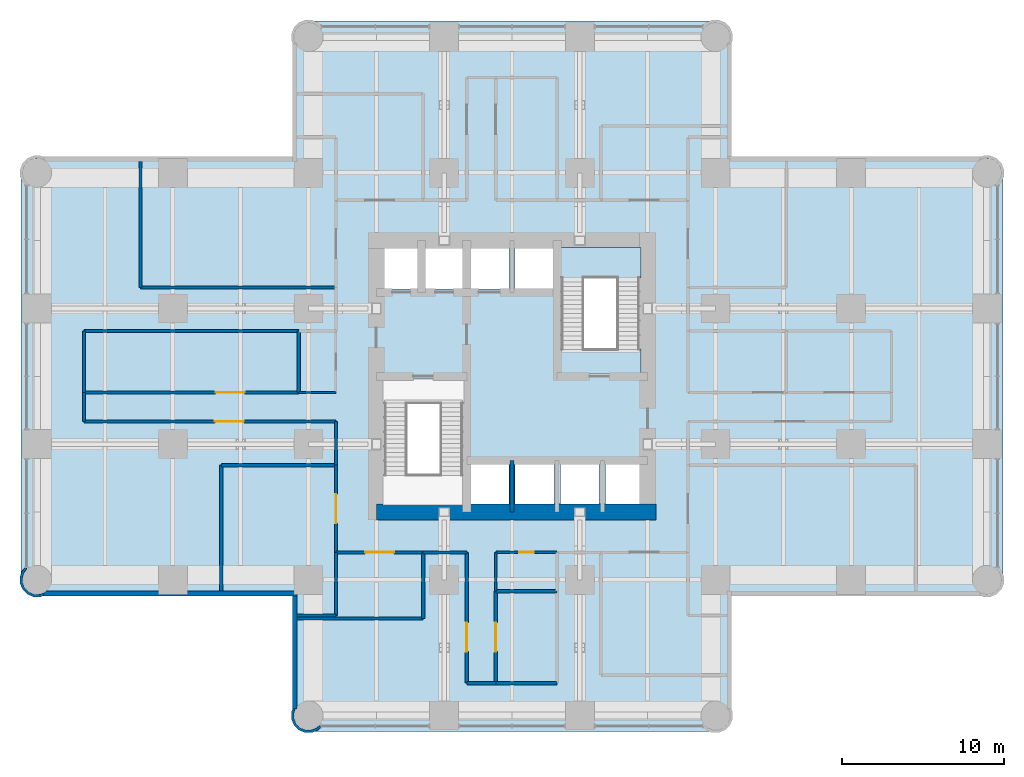
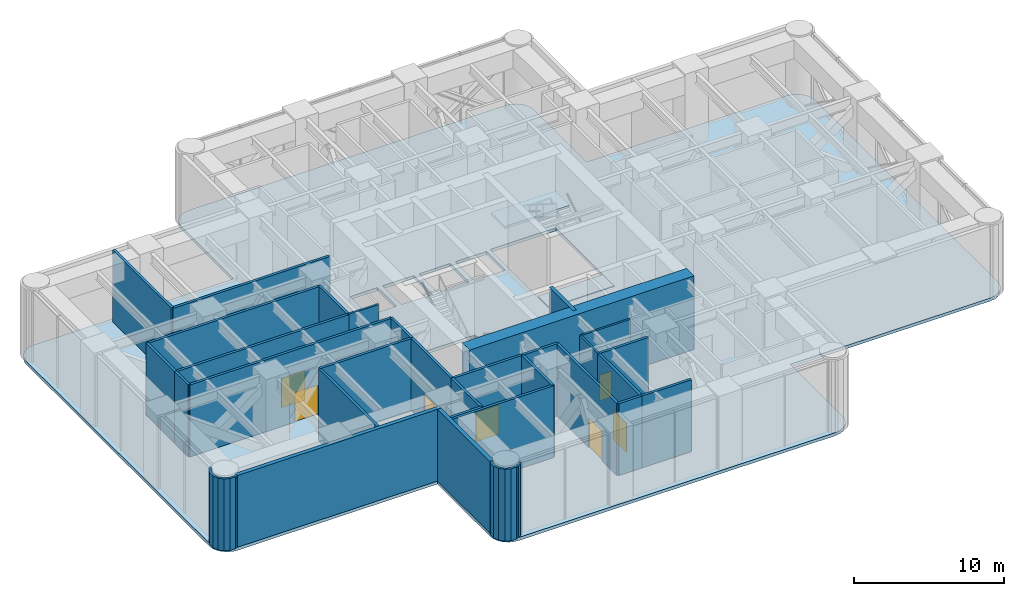
# One storey, part 8 of 13: 32 walls, 7 doors, 3 slabs, 7 openings, 1 element without a shape of its own.
"""IFC4 building model written with IfcOpenShell, lengths in metres."""

from ifc_helpers import new_model, si_unit, direction, frame, frame_2d, origin, place, context, subcontext, project, spatial, polyline, rectangle, outline, extrude, material, layer, layer_set, type_object, element, fill, aggregate, save


model = new_model("IFC4")

# Units and contexts
model_context = context("Model", 3, precision=1e-05, world=origin(), true_north=direction((0.0, 1.0)))
body_context = subcontext(model_context, "Body", "Model", "MODEL_VIEW")
ifc_project = project(units=[si_unit("LENGTHUNIT", "METRE"), si_unit("AREAUNIT", "SQUARE_METRE"), si_unit("VOLUMEUNIT", "CUBIC_METRE"), si_unit("PLANEANGLEUNIT", "RADIAN"), si_unit("MASSUNIT", "GRAM", prefix="KILO")], contexts=[model_context])

# Site, building, storey
site_placement = place(None, origin())
site = spatial("IfcSite", under=ifc_project, at=site_placement, CompositionType="ELEMENT")
building_placement = place(site_placement, origin())
building = spatial("IfcBuilding", under=site, at=building_placement, Name="Torre Alcanfor", CompositionType="ELEMENT")
storey_placement = place(building_placement, frame((0.0, 0.0, 177.300048828125)))
storey = spatial("IfcBuildingStorey", under=building, at=storey_placement, Name="L46", CompositionType="ELEMENT", Elevation=177.300048828125)

# Slab
ifc_material_1 = material(Name="Concrete f'c 35 MPa", Category="concrete")
ifc_layer_1 = layer(ifc_material_1, 0.25)
ifc_layer_set_1 = layer_set([ifc_layer_1], Name="Floor slab 250")
slab_type_1 = type_object("IfcSlabType", Name="Floor slab 250", PredefinedType="FLOOR", material=ifc_layer_set_1)
slab_1_placement = place(storey_placement, frame((0.0, 0.0, -0.25)))
element("IfcSlab", 1, at=slab_1_placement, inside=storey, type_object=slab_type_1, Name="Floor slab L46", PredefinedType="FLOOR", context=body_context, shape_type="SweptSolid", body=[
    extrude(outline(polyline([(15.800048828125, 43.0), (0.39990234375, 43.0), (0.03759765625, 42.952392578125), (-0.300048828125, 42.8125), (-0.58984375, 42.58984375), (-0.8125, 42.300048828125), (-0.952392578125, 41.96240234375), (-1.0, 41.60009765625), (-1.0, 17.199951171875), (-0.952392578125, 16.837646484375), (-0.8125, 16.5), (-0.58984375, 16.210205078125), (-0.300048828125, 15.987548828125), (0.03759765625, 15.84765625), (0.39990234375, 15.800048828125), (15.800048828125, 15.800048828125), (15.800048828125, 8.800048828125), (15.84765625, 8.437744140625), (15.987548828125, 8.10009765625), (16.210205078125, 7.81005859375), (16.5, 7.587646484375), (16.837646484375, 7.44775390625), (17.199951171875, 7.39990234375), (41.60009765625, 7.39990234375), (41.96240234375, 7.44775390625), (42.300048828125, 7.587646484375), (42.58984375, 7.81005859375), (42.8125, 8.10009765625), (42.952392578125, 8.437744140625), (43.0, 8.800048828125), (43.0, 15.800048828125), (58.39990234375, 15.800048828125), (58.76220703125, 15.84765625), (59.10009765625, 15.987548828125), (59.389892578125, 16.210205078125), (59.6123046875, 16.5), (59.752197265625, 16.837646484375), (59.800048828125, 17.199951171875), (59.800048828125, 41.60009765625), (59.752197265625, 41.96240234375), (59.6123046875, 42.300048828125), (59.389892578125, 42.58984375), (59.10009765625, 42.8125), (58.76220703125, 42.952392578125), (58.39990234375, 43.0), (43.0, 43.0), (43.0, 50.0), (42.952392578125, 50.3623046875), (42.8125, 50.699951171875), (42.58984375, 50.989990234375), (42.300048828125, 51.21240234375), (41.96240234375, 51.352294921875), (41.60009765625, 51.39990234375), (17.199951171875, 51.39990234375), (16.837646484375, 51.352294921875), (16.5, 51.21240234375), (16.210205078125, 50.989990234375), (15.987548828125, 50.699951171875), (15.84765625, 50.3623046875), (15.800048828125, 50.0), (15.800048828125, 43.0)]), holes=[polyline([(21.419921875, 21.419921875), (26.47998046875, 21.419921875), (26.47998046875, 29.280029296875), (21.419921875, 29.280029296875), (21.419921875, 21.419921875)]), polyline([(32.320068359375, 29.52001953125), (37.3798828125, 29.52001953125), (37.3798828125, 37.3798828125), (32.320068359375, 37.3798828125), (32.320068359375, 29.52001953125)]), polyline([(26.800048828125, 21.5), (29.199951171875, 21.5), (29.199951171875, 24.0), (26.800048828125, 24.0), (26.800048828125, 21.5)]), polyline([(29.60009765625, 21.5), (32.0, 21.5), (32.0, 24.0), (29.60009765625, 24.0), (29.60009765625, 21.5)]), polyline([(32.39990234375, 21.5), (34.800048828125, 21.5), (34.800048828125, 24.0), (32.39990234375, 24.0), (32.39990234375, 21.5)]), polyline([(35.199951171875, 21.5), (37.300048828125, 21.5), (37.300048828125, 24.0), (35.199951171875, 24.0), (35.199951171875, 21.5)]), polyline([(21.5, 34.800048828125), (23.60009765625, 34.800048828125), (23.60009765625, 37.300048828125), (21.5, 37.300048828125), (21.5, 34.800048828125)]), polyline([(24.0, 34.800048828125), (26.39990234375, 34.800048828125), (26.39990234375, 37.300048828125), (24.0, 37.300048828125), (24.0, 34.800048828125)]), polyline([(26.800048828125, 34.800048828125), (29.199951171875, 34.800048828125), (29.199951171875, 37.300048828125), (26.800048828125, 37.300048828125), (26.800048828125, 34.800048828125)]), polyline([(29.60009765625, 34.800048828125), (32.0, 34.800048828125), (32.0, 37.300048828125), (29.60009765625, 37.300048828125), (29.60009765625, 34.800048828125)])]), origin(), (0.0, 0.0, 1.0), 0.25),
])

# Stair, slabs
ifc_material_2 = material(Name="Concrete f'c 35 MPa", Category="concrete")
stair_type = type_object("IfcStairType", Name="Exit stair S2 1400 wide", PredefinedType="HALF_TURN_STAIR", material=ifc_material_2)
stair_placement = place(storey_placement, origin())
stair = element("IfcStair", 2, at=stair_placement, inside=storey, type_object=stair_type, Name="Stair S2 L46 to L47", PredefinedType="HALF_TURN_STAIR")
ifc_material_3 = material(Name="Concrete f'c 35 MPa", Category="concrete")
ifc_layer_2 = layer(ifc_material_3, 0.199951171875)
ifc_layer_set_2 = layer_set([ifc_layer_2], Name="Stair landing 200")
slab_type_2 = type_object("IfcSlabType", Name="Stair landing 200", PredefinedType="LANDING", material=ifc_layer_set_2)
slab_2_placement = place(storey_placement, frame((0.0, 0.0, -0.199951171875)))
slab_2 = element("IfcSlab", 3, at=slab_2_placement, type_object=slab_type_2, Name="S2 landing 1", PredefinedType="LANDING", context=body_context, shape_type="SweptSolid", body=[
    extrude(outline(polyline([(32.3701171875, 29.570068359375), (37.3798828125, 29.570068359375), (37.3798828125, 31.10009765625), (32.3701171875, 31.10009765625), (32.3701171875, 29.570068359375)])), origin(), (0.0, 0.0, 1.0), 0.199951171875),
])
slab_3_placement = place(storey_placement, frame((0.0, 0.0, 2.800048828125)))
slab_3 = element("IfcSlab", 4, at=slab_3_placement, type_object=slab_type_2, Name="S2 landing 2", PredefinedType="LANDING", context=body_context, shape_type="SweptSolid", body=[
    extrude(outline(polyline([(32.3701171875, 35.47998046875), (37.3798828125, 35.47998046875), (37.3798828125, 37.3798828125), (32.3701171875, 37.3798828125), (32.3701171875, 35.47998046875)])), origin(), (0.0, 0.0, 1.0), 0.199951171875),
])
aggregate(stair, [slab_2, slab_3])

# Walls
ifc_material_4 = material(Name="Concrete f'c 70 MPa", Category="concrete")
ifc_layer_3 = layer(ifc_material_4, 0.25)
ifc_layer_set_3 = layer_set([ifc_layer_3], Name="Core shaft wall 250 f'c70")
wall_type_1 = type_object("IfcWallType", Name="Core shaft wall 250 f'c70", PredefinedType="SHEAR", material=ifc_layer_set_3)
wall_1_placement = place(storey_placement, frame((29.39990234375, 21.0, 0.0), z_axis=(0.0, 0.0, 1.0), x_axis=(0.0, 1.0, 0.0)))
element("IfcWall", 5, at=wall_1_placement, inside=storey, type_object=wall_type_1, Name="Core wall X294S L46", PredefinedType="SHEAR", context=body_context, shape_type="SweptSolid", body=[
    extrude(rectangle(XDim=3.199951171875, YDim=0.25, at=frame_2d((1.60009765625, 0.0))), origin(), (0.0, 0.0, 1.0), 6.0),
])
ifc_material_5 = material(Name="Concrete f'c 70 MPa", Category="concrete")
ifc_layer_4 = layer(ifc_material_5, 1.0)
ifc_layer_set_4 = layer_set([ifc_layer_4], Name="Core wall 1000 f'c70")
wall_type_2 = type_object("IfcWallType", Name="Core wall 1000 f'c70", PredefinedType="SHEAR", material=ifc_layer_set_4)
wall_2_placement = place(storey_placement, frame((21.0, 21.0, 0.0), z_axis=(0.0, 0.0, 1.0), x_axis=(1.0, 0.0, 0.0)))
element("IfcWall", 6, at=wall_2_placement, inside=storey, type_object=wall_type_2, Name="Core wall OUT-S L46", PredefinedType="SHEAR", context=body_context, shape_type="SweptSolid", body=[
    extrude(rectangle(XDim=17.300048828125, YDim=1.0, at=frame_2d((8.64990234375, 0.0))), origin(), (0.0, 0.0, 1.0), 6.0),
])
ifc_material_6 = material(Name="Limestone cladding", Category="masonry")
ifc_layer_5 = layer(ifc_material_6, 0.0400390625, Name="Facing")
ifc_material_7 = material(Name="Ventilated air cavity")
ifc_layer_6 = layer(ifc_material_7, 0.02001953125, ventilated=True, Name="Ventilated joint")
ifc_material_8 = material(Name="Mineral wool insulation", Category="insulation")
ifc_layer_7 = layer(ifc_material_8, 0.10009765625, Name="Insulation")
ifc_material_9 = material(Name="Concrete f'c 35 MPa", Category="concrete")
ifc_layer_8 = layer(ifc_material_9, 0.139892578125, Name="Backing")
ifc_layer_set_5 = layer_set([ifc_layer_5, ifc_layer_6, ifc_layer_7, ifc_layer_8], Name="External wall stone-clad 300")
wall_type_3 = type_object("IfcWallType", Name="External wall stone-clad 300", PredefinedType="SOLIDWALL", material=ifc_layer_set_5)
wall_3_placement = place(storey_placement, frame((0.39990234375, 15.949951171875, 0.0), z_axis=(0.0, 0.0, 1.0), x_axis=(1.0, 0.0, 0.0)))
element("IfcWall", 7, at=wall_3_placement, inside=storey, type_object=wall_type_3, Name="External wall L46 3", PredefinedType="SOLIDWALL", context=body_context, shape_type="SweptSolid", body=[
    extrude(rectangle(XDim=15.7001953125, YDim=0.300048828125, at=frame_2d((7.85009765625, 0.0))), origin(), (0.0, 0.0, 1.0), 5.849853515625),
])
wall_4_placement = place(storey_placement, frame((15.949951171875, 15.800048828125, 0.0), z_axis=(0.0, 0.0, 1.0), x_axis=(0.0, -1.0, 0.0)))
element("IfcWall", 8, at=wall_4_placement, inside=storey, type_object=wall_type_3, Name="External wall L46 4", PredefinedType="SOLIDWALL", context=body_context, shape_type="SweptSolid", body=[
    extrude(rectangle(XDim=7.0, YDim=0.300048828125, at=frame_2d((3.5, 0.0))), origin(), (0.0, 0.0, 1.0), 5.849853515625),
])

# Wall, opening, door
ifc_material_10 = material(Name="Concrete block masonry, hollow blocks NMX-C-404 9 MPa", Category="masonry")
ifc_layer_9 = layer(ifc_material_10, 0.199951171875)
ifc_layer_set_6 = layer_set([ifc_layer_9], Name="Plant room wall 200 EI 60")
wall_type_4 = type_object("IfcWallType", Name="Plant room wall 200 EI 60", PredefinedType="PARTITIONING", material=ifc_layer_set_6)
wall_5_placement = place(storey_placement, frame((23.89990234375, 18.5, 0.0), z_axis=(0.0, 0.0, 1.0), x_axis=(-1.0, 0.0, 0.0)))
wall_5 = element("IfcWall", 9, at=wall_5_placement, inside=storey, type_object=wall_type_4, Name="Partition L46-CORR / L46-S1", PredefinedType="PARTITIONING", context=body_context, shape_type="SweptSolid", body=[
    extrude(rectangle(XDim=5.39990234375, YDim=0.199951171875, at=frame_2d((2.699951171875, 0.0))), origin(), (0.0, 0.0, 1.0), 5.849853515625),
])
opening_1_placement = place(wall_5_placement, frame((1.800048828125, 0.0, 0.0)))
opening_1 = element("IfcOpeningElement", 10, at=opening_1_placement, cuts=wall_5, Name="Opening D-P1", PredefinedType="OPENING", context=body_context, shape_type="SweptSolid", body=[
    extrude(rectangle(XDim=1.800048828125, YDim=2.39990234375, at=frame_2d((0.89990234375, 1.199951171875))), frame((0.0, 0.10986328125, 0.0), z_axis=(0.0, -1.0, 0.0), x_axis=(1.0, 0.0, 0.0)), (0.0, 0.0, 1.0), 0.219970703125),
])
ifc_material_11 = material(Name="Galvanised steel sheet ASTM A653", Category="steel")
door_type_1 = type_object("IfcDoorType", Name="Plant room door FD60 1800x2400", OperationType="DOUBLE_DOOR_SINGLE_SWING", PredefinedType="DOOR", material=ifc_material_11)
door_1_placement = place(opening_1_placement, origin())
door_1 = element("IfcDoor", 11, at=door_1_placement, inside=storey, type_object=door_type_1, Name="Door L46-S1 chilled water heat exchanger room", OperationType="DOUBLE_DOOR_SINGLE_SWING", OverallHeight=2.39990234375, OverallWidth=1.800048828125, PredefinedType="DOOR", context=body_context, shape_type="SweptSolid", body=[
    extrude(rectangle(XDim=1.800048828125, YDim=2.39990234375, at=frame_2d((0.89990234375, 1.199951171875))), frame((0.0, 0.02490234375, 0.0), z_axis=(0.0, -1.0, 0.0), x_axis=(1.0, 0.0, 0.0)), (0.0, 0.0, 1.0), 0.050048828125),
])
fill(opening_1, door_1)

# Wall
wall_6_placement = place(storey_placement, frame((26.60009765625, 18.5, 0.0), z_axis=(0.0, 0.0, 1.0), x_axis=(-1.0, 0.0, 0.0)))
element("IfcWall", 12, at=wall_6_placement, inside=storey, type_object=wall_type_4, Name="Partition L46-CORR / L46-SH", PredefinedType="PARTITIONING", context=body_context, shape_type="SweptSolid", body=[
    extrude(rectangle(XDim=2.7001953125, YDim=0.199951171875, at=frame_2d((1.35009765625, 0.0))), origin(), (0.0, 0.0, 1.0), 5.849853515625),
])

# Wall, opening, door
wall_7_placement = place(storey_placement, frame((18.5, 18.5, 0.0), z_axis=(0.0, 0.0, 1.0), x_axis=(0.0, 1.0, 0.0)))
wall_7 = element("IfcWall", 13, at=wall_7_placement, inside=storey, type_object=wall_type_4, Name="Partition L46-CORR / L46-W1", PredefinedType="PARTITIONING", context=body_context, shape_type="SweptSolid", body=[
    extrude(rectangle(XDim=5.39990234375, YDim=0.199951171875, at=frame_2d((2.699951171875, 0.0))), origin(), (0.0, 0.0, 1.0), 5.849853515625),
])
opening_2_placement = place(wall_7_placement, frame((1.800048828125, 0.0, 0.0)))
opening_2 = element("IfcOpeningElement", 14, at=opening_2_placement, cuts=wall_7, Name="Opening D-P1", PredefinedType="OPENING", context=body_context, shape_type="SweptSolid", body=[
    extrude(rectangle(XDim=1.800048828125, YDim=2.39990234375, at=frame_2d((0.89990234375, 1.199951171875))), frame((0.0, 0.10986328125, 0.0), z_axis=(0.0, -1.0, 0.0), x_axis=(1.0, 0.0, 0.0)), (0.0, 0.0, 1.0), 0.219970703125),
])
door_2_placement = place(opening_2_placement, origin())
door_2 = element("IfcDoor", 15, at=door_2_placement, inside=storey, type_object=door_type_1, Name="Door L46-W1 sprinkler zone valve room", OperationType="DOUBLE_DOOR_SINGLE_SWING", OverallHeight=2.39990234375, OverallWidth=1.800048828125, PredefinedType="DOOR", context=body_context, shape_type="SweptSolid", body=[
    extrude(rectangle(XDim=1.800048828125, YDim=2.39990234375, at=frame_2d((0.89990234375, 1.199951171875))), frame((0.0, 0.02490234375, 0.0), z_axis=(0.0, -1.0, 0.0), x_axis=(1.0, 0.0, 0.0)), (0.0, 0.0, 1.0), 0.050048828125),
])
fill(opening_2, door_2)

# Walls
wall_8_placement = place(storey_placement, frame((18.5, 23.89990234375, 0.0), z_axis=(0.0, 0.0, 1.0), x_axis=(0.0, 1.0, 0.0)))
element("IfcWall", 16, at=wall_8_placement, inside=storey, type_object=wall_type_4, Name="Partition L46-CORR / L46-WH", PredefinedType="PARTITIONING", context=body_context, shape_type="SweptSolid", body=[
    extrude(rectangle(XDim=2.7001953125, YDim=0.199951171875, at=frame_2d((1.35009765625, 0.0))), origin(), (0.0, 0.0, 1.0), 5.849853515625),
])
wall_9_placement = place(storey_placement, frame((23.89990234375, 18.5, 0.0), z_axis=(0.0, 0.0, 1.0), x_axis=(0.0, -1.0, 0.0)))
element("IfcWall", 17, at=wall_9_placement, inside=storey, type_object=wall_type_4, Name="Partition L46-S1 / L46-SH", PredefinedType="PARTITIONING", context=body_context, shape_type="SweptSolid", body=[
    extrude(rectangle(XDim=4.10009765625, YDim=0.199951171875, at=frame_2d((2.050048828125, 0.0))), origin(), (0.0, 0.0, 1.0), 5.849853515625),
])
wall_10_placement = place(storey_placement, frame((23.89990234375, 14.39990234375, 0.0), z_axis=(0.0, 0.0, 1.0), x_axis=(-1.0, 0.0, 0.0)))
element("IfcWall", 18, at=wall_10_placement, inside=storey, type_object=wall_type_4, Name="Partition L46-S1 / L46-SH", PredefinedType="PARTITIONING", context=body_context, shape_type="SweptSolid", body=[
    extrude(rectangle(XDim=7.7998046875, YDim=0.199951171875, at=frame_2d((3.89990234375, 0.0))), origin(), (0.0, 0.0, 1.0), 5.849853515625),
])
wall_11_placement = place(storey_placement, frame((16.10009765625, 14.60009765625, 0.0), z_axis=(0.0, 0.0, 1.0), x_axis=(1.0, 0.0, 0.0)))
element("IfcWall", 19, at=wall_11_placement, inside=storey, type_object=wall_type_4, Name="Partition L46-S1 / L46-W1", PredefinedType="PARTITIONING", context=body_context, shape_type="SweptSolid", body=[
    extrude(rectangle(XDim=2.39990234375, YDim=0.199951171875, at=frame_2d((1.199951171875, 0.0))), origin(), (0.0, 0.0, 1.0), 5.849853515625),
])
wall_12_placement = place(storey_placement, frame((18.5, 14.60009765625, 0.0), z_axis=(0.0, 0.0, 1.0), x_axis=(0.0, 1.0, 0.0)))
element("IfcWall", 20, at=wall_12_placement, inside=storey, type_object=wall_type_4, Name="Partition L46-S1 / L46-W1", PredefinedType="PARTITIONING", context=body_context, shape_type="SweptSolid", body=[
    extrude(rectangle(XDim=3.89990234375, YDim=0.199951171875, at=frame_2d((1.949951171875, 0.0))), origin(), (0.0, 0.0, 1.0), 5.849853515625),
])

# Wall, opening, door
wall_13_placement = place(storey_placement, frame((28.39990234375, 16.10009765625, 0.0), z_axis=(0.0, 0.0, 1.0), x_axis=(0.0, -1.0, 0.0)))
wall_13 = element("IfcWall", 21, at=wall_13_placement, inside=storey, type_object=wall_type_4, Name="Partition L46-SC / L46-S4", PredefinedType="PARTITIONING", context=body_context, shape_type="SweptSolid", body=[
    extrude(rectangle(XDim=5.7001953125, YDim=0.199951171875, at=frame_2d((2.85009765625, 0.0))), origin(), (0.0, 0.0, 1.0), 5.849853515625),
])
opening_3_placement = place(wall_13_placement, frame((1.949951171875, 0.0, 0.0)))
opening_3 = element("IfcOpeningElement", 22, at=opening_3_placement, cuts=wall_13, Name="Opening D-P1", PredefinedType="OPENING", context=body_context, shape_type="SweptSolid", body=[
    extrude(rectangle(XDim=1.800048828125, YDim=2.39990234375, at=frame_2d((0.89990234375, 1.199951171875))), frame((0.0, 0.10986328125, 0.0), z_axis=(0.0, -1.0, 0.0), x_axis=(1.0, 0.0, 0.0)), (0.0, 0.0, 1.0), 0.219970703125),
])
door_3_placement = place(opening_3_placement, origin())
door_3 = element("IfcDoor", 23, at=door_3_placement, inside=storey, type_object=door_type_1, Name="Door L46-S4 water meter room", OperationType="DOUBLE_DOOR_SINGLE_SWING", OverallHeight=2.39990234375, OverallWidth=1.800048828125, PredefinedType="DOOR", context=body_context, shape_type="SweptSolid", body=[
    extrude(rectangle(XDim=1.800048828125, YDim=2.39990234375, at=frame_2d((0.89990234375, 1.199951171875))), frame((0.0, 0.02490234375, 0.0), z_axis=(0.0, -1.0, 0.0), x_axis=(1.0, 0.0, 0.0)), (0.0, 0.0, 1.0), 0.050048828125),
])
fill(opening_3, door_3)

# Wall
wall_14_placement = place(storey_placement, frame((28.39990234375, 10.39990234375, 0.0), z_axis=(0.0, 0.0, 1.0), x_axis=(-1.0, 0.0, 0.0)))
element("IfcWall", 24, at=wall_14_placement, inside=storey, type_object=wall_type_4, Name="Partition L46-SC / L46-SH", PredefinedType="PARTITIONING", context=body_context, shape_type="SweptSolid", body=[
    extrude(rectangle(XDim=1.7998046875, YDim=0.199951171875, at=frame_2d((0.89990234375, 0.0))), origin(), (0.0, 0.0, 1.0), 5.849853515625),
])

# Wall, opening, door
wall_15_placement = place(storey_placement, frame((26.60009765625, 10.39990234375, 0.0), z_axis=(0.0, 0.0, 1.0), x_axis=(0.0, 1.0, 0.0)))
wall_15 = element("IfcWall", 25, at=wall_15_placement, inside=storey, type_object=wall_type_4, Name="Partition L46-SC / L46-SH", PredefinedType="PARTITIONING", context=body_context, shape_type="SweptSolid", body=[
    extrude(rectangle(XDim=8.10009765625, YDim=0.199951171875, at=frame_2d((4.050048828125, 0.0))), origin(), (0.0, 0.0, 1.0), 5.849853515625),
])
opening_4_placement = place(wall_15_placement, frame((1.949951171875, 0.0, 0.0)))
opening_4 = element("IfcOpeningElement", 26, at=opening_4_placement, cuts=wall_15, Name="Opening D-P1", PredefinedType="OPENING", context=body_context, shape_type="SweptSolid", body=[
    extrude(rectangle(XDim=1.800048828125, YDim=2.39990234375, at=frame_2d((0.89990234375, 1.199951171875))), frame((0.0, 0.10986328125, 0.0), z_axis=(0.0, -1.0, 0.0), x_axis=(1.0, 0.0, 0.0)), (0.0, 0.0, 1.0), 0.219970703125),
])
door_4_placement = place(opening_4_placement, origin())
door_4 = element("IfcDoor", 27, at=door_4_placement, inside=storey, type_object=door_type_1, Name="Door L46-SH air handling plant room", OperationType="DOUBLE_DOOR_SINGLE_SWING", OverallHeight=2.39990234375, OverallWidth=1.800048828125, PredefinedType="DOOR", context=body_context, shape_type="SweptSolid", body=[
    extrude(rectangle(XDim=1.800048828125, YDim=2.39990234375, at=frame_2d((0.89990234375, 1.199951171875))), frame((0.0, 0.02490234375, 0.0), z_axis=(0.0, -1.0, 0.0), x_axis=(1.0, 0.0, 0.0)), (0.0, 0.0, 1.0), 0.050048828125),
])
fill(opening_4, door_4)

# Walls
for number, where, z_axis, x_axis, name in (
    (28, (32.199951171875, 16.10009765625, 0.0), (0.0, 0.0, 1.0), (-1.0, 0.0, 0.0), "Partition L46-S3 / L46-S4"),
    (29, (32.199951171875, 10.39990234375, 0.0), (0.0, 0.0, 1.0), (-1.0, 0.0, 0.0), "Partition L46-S4 / L46-SH"),
):
    element("IfcWall", number, at=place(storey_placement, frame(where, z_axis=z_axis, x_axis=x_axis)), inside=storey, type_object=wall_type_4, Name=name, PredefinedType="PARTITIONING", context=body_context, shape_type="SweptSolid", body=[
        extrude(rectangle(XDim=3.800048828125, YDim=0.199951171875, at=frame_2d((1.89990234375, 0.0))), origin(), (0.0, 0.0, 1.0), 5.849853515625),
    ])
wall_16_placement = place(storey_placement, frame((11.39990234375, 16.10009765625, 0.0), z_axis=(0.0, 0.0, 1.0), x_axis=(0.0, 1.0, 0.0)))
element("IfcWall", 30, at=wall_16_placement, inside=storey, type_object=wall_type_4, Name="Partition L46-W1 / L46-WH", PredefinedType="PARTITIONING", context=body_context, shape_type="SweptSolid", body=[
    extrude(rectangle(XDim=7.7998046875, YDim=0.199951171875, at=frame_2d((3.89990234375, 0.0))), origin(), (0.0, 0.0, 1.0), 5.849853515625),
])
wall_17_placement = place(storey_placement, frame((11.39990234375, 23.89990234375, 0.0), z_axis=(0.0, 0.0, 1.0), x_axis=(1.0, 0.0, 0.0)))
element("IfcWall", 31, at=wall_17_placement, inside=storey, type_object=wall_type_4, Name="Partition L46-W1 / L46-WH", PredefinedType="PARTITIONING", context=body_context, shape_type="SweptSolid", body=[
    extrude(rectangle(XDim=7.10009765625, YDim=0.199951171875, at=frame_2d((3.550048828125, 0.0))), origin(), (0.0, 0.0, 1.0), 5.849853515625),
])
wall_18_placement = place(storey_placement, frame((18.5, 34.89990234375, 0.0), z_axis=(0.0, 0.0, 1.0), x_axis=(-1.0, 0.0, 0.0)))
element("IfcWall", 32, at=wall_18_placement, inside=storey, type_object=wall_type_4, Name="Partition L46-W2 / L46-WH", PredefinedType="PARTITIONING", context=body_context, shape_type="SweptSolid", body=[
    extrude(rectangle(XDim=12.10009765625, YDim=0.199951171875, at=frame_2d((6.050048828125, 0.0))), origin(), (0.0, 0.0, 1.0), 5.849853515625),
])
wall_19_placement = place(storey_placement, frame((6.39990234375, 34.89990234375, 0.0), z_axis=(0.0, 0.0, 1.0), x_axis=(0.0, 1.0, 0.0)))
element("IfcWall", 33, at=wall_19_placement, inside=storey, type_object=wall_type_4, Name="Partition L46-W2 / L46-WH", PredefinedType="PARTITIONING", context=body_context, shape_type="SweptSolid", body=[
    extrude(rectangle(XDim=7.800048828125, YDim=0.199951171875, at=frame_2d((3.89990234375, 0.0))), origin(), (0.0, 0.0, 1.0), 5.849853515625),
])

# Wall, opening, door
wall_20_placement = place(storey_placement, frame((2.89990234375, 28.39990234375, 0.0), z_axis=(0.0, 0.0, 1.0), x_axis=(1.0, 0.0, 0.0)))
wall_20 = element("IfcWall", 34, at=wall_20_placement, inside=storey, type_object=wall_type_4, Name="Partition L46-WC / L46-REF", PredefinedType="PARTITIONING", context=body_context, shape_type="SweptSolid", body=[
    extrude(rectangle(XDim=13.300048828125, YDim=0.199951171875, at=frame_2d((6.64990234375, 0.0))), origin(), (0.0, 0.0, 1.0), 5.849853515625),
])
opening_5_placement = place(wall_20_placement, frame((8.14990234375, 0.0, 0.0)))
opening_5 = element("IfcOpeningElement", 35, at=opening_5_placement, cuts=wall_20, Name="Opening D-P1", PredefinedType="OPENING", context=body_context, shape_type="SweptSolid", body=[
    extrude(rectangle(XDim=1.800048828125, YDim=2.39990234375, at=frame_2d((0.89990234375, 1.199951171875))), frame((0.0, 0.10986328125, 0.0), z_axis=(0.0, -1.0, 0.0), x_axis=(1.0, 0.0, 0.0)), (0.0, 0.0, 1.0), 0.219970703125),
])
door_5_placement = place(opening_5_placement, frame((1.800048828125, 0.0, 0.0), z_axis=(0.0, 0.0, 1.0), x_axis=(-1.0, 0.0, 0.0)))
door_5 = element("IfcDoor", 36, at=door_5_placement, inside=storey, type_object=door_type_1, Name="Door L46-REF refuge area", OperationType="DOUBLE_DOOR_SINGLE_SWING", OverallHeight=2.39990234375, OverallWidth=1.800048828125, PredefinedType="DOOR", context=body_context, shape_type="SweptSolid", body=[
    extrude(rectangle(XDim=1.800048828125, YDim=2.39990234375, at=frame_2d((0.900146484375, 1.199951171875))), frame((0.0, 0.025146484375, 0.0), z_axis=(0.0, -1.0, 0.0), x_axis=(1.0, 0.0, 0.0)), (0.0, 0.0, 1.0), 0.050048828125),
])
fill(opening_5, door_5)

wall_21_placement = place(storey_placement, frame((18.5, 26.60009765625, 0.0), z_axis=(0.0, 0.0, 1.0), x_axis=(-1.0, 0.0, 0.0)))
wall_21 = element("IfcWall", 37, at=wall_21_placement, inside=storey, type_object=wall_type_4, Name="Partition L46-WC / L46-WH", PredefinedType="PARTITIONING", context=body_context, shape_type="SweptSolid", body=[
    extrude(rectangle(XDim=15.60009765625, YDim=0.199951171875, at=frame_2d((7.800048828125, 0.0))), origin(), (0.0, 0.0, 1.0), 5.849853515625),
])
opening_6_placement = place(wall_21_placement, frame((5.699951171875, 0.0, 0.0)))
opening_6 = element("IfcOpeningElement", 38, at=opening_6_placement, cuts=wall_21, Name="Opening D-P1", PredefinedType="OPENING", context=body_context, shape_type="SweptSolid", body=[
    extrude(rectangle(XDim=1.800048828125, YDim=2.39990234375, at=frame_2d((0.89990234375, 1.199951171875))), frame((0.0, 0.10986328125, 0.0), z_axis=(0.0, -1.0, 0.0), x_axis=(1.0, 0.0, 0.0)), (0.0, 0.0, 1.0), 0.219970703125),
])
door_6_placement = place(opening_6_placement, origin())
door_6 = element("IfcDoor", 39, at=door_6_placement, inside=storey, type_object=door_type_1, Name="Door L46-WH air handling plant room", OperationType="DOUBLE_DOOR_SINGLE_SWING", OverallHeight=2.39990234375, OverallWidth=1.800048828125, PredefinedType="DOOR", context=body_context, shape_type="SweptSolid", body=[
    extrude(rectangle(XDim=1.800048828125, YDim=2.39990234375, at=frame_2d((0.89990234375, 1.199951171875))), frame((0.0, 0.02490234375, 0.0), z_axis=(0.0, -1.0, 0.0), x_axis=(1.0, 0.0, 0.0)), (0.0, 0.0, 1.0), 0.050048828125),
])
fill(opening_6, door_6)

# Walls
wall_22_placement = place(storey_placement, frame((2.89990234375, 26.60009765625, 0.0), z_axis=(0.0, 0.0, 1.0), x_axis=(0.0, 1.0, 0.0)))
element("IfcWall", 40, at=wall_22_placement, inside=storey, type_object=wall_type_4, Name="Partition L46-WC / L46-WH", PredefinedType="PARTITIONING", context=body_context, shape_type="SweptSolid", body=[
    extrude(rectangle(XDim=1.7998046875, YDim=0.199951171875, at=frame_2d((0.89990234375, 0.0))), origin(), (0.0, 0.0, 1.0), 5.849853515625),
])
for number, where, z_axis, x_axis, name in (
    (41, (16.199951171875, 28.39990234375, 0.0), (0.0, 0.0, 1.0), (0.0, 1.0, 0.0), "Partition L46-WW / L46-REF"),
    (42, (2.89990234375, 28.39990234375, 0.0), (0.0, 0.0, 1.0), (0.0, 1.0, 0.0), "Partition L46-REF / L46-WH"),
):
    element("IfcWall", number, at=place(storey_placement, frame(where, z_axis=z_axis, x_axis=x_axis)), inside=storey, type_object=wall_type_4, Name=name, PredefinedType="PARTITIONING", context=body_context, shape_type="SweptSolid", body=[
        extrude(rectangle(XDim=3.800048828125, YDim=0.199951171875, at=frame_2d((1.89990234375, 0.0))), origin(), (0.0, 0.0, 1.0), 5.849853515625),
    ])
wall_23_placement = place(storey_placement, frame((2.89990234375, 32.199951171875, 0.0), z_axis=(0.0, 0.0, 1.0), x_axis=(1.0, 0.0, 0.0)))
element("IfcWall", 43, at=wall_23_placement, inside=storey, type_object=wall_type_4, Name="Partition L46-REF / L46-WH", PredefinedType="PARTITIONING", context=body_context, shape_type="SweptSolid", body=[
    extrude(rectangle(XDim=13.300048828125, YDim=0.199951171875, at=frame_2d((6.64990234375, 0.0))), origin(), (0.0, 0.0, 1.0), 5.849853515625),
])
ifc_layer_10 = layer(ifc_material_6, 0.0400390625, Name="Facing")
ifc_layer_11 = layer(ifc_material_7, 0.02001953125, ventilated=True, Name="Ventilated joint")
ifc_layer_12 = layer(ifc_material_8, 0.10009765625, Name="Insulation")
ifc_layer_13 = layer(ifc_material_9, 0.139892578125, Name="Backing")
ifc_layer_set_7 = layer_set([ifc_layer_10, ifc_layer_11, ifc_layer_12, ifc_layer_13], Name="Rounded corner pier stone-clad 300")
wall_type_5 = type_object("IfcWallType", Name="Rounded corner pier stone-clad 300", PredefinedType="SOLIDWALL", material=ifc_layer_set_7)
wall_24_placement = place(storey_placement, frame((-0.688559409, 17.497342054, 0.0), z_axis=(0.0, 0.0, 1.0), x_axis=(-0.924062475919, -0.382241468967, 0.0)))
element("IfcWall", 44, at=wall_24_placement, inside=storey, type_object=wall_type_5, Name="Corner pier L46 14", PredefinedType="SOLIDWALL", context=body_context, shape_type="SweptSolid", body=[
    extrude(outline(polyline([(-0.3570308062640998, 1.9844601999483829), (-0.4586108897046983, 1.8085111710137856), (-0.19088220194290517, 1.8087298311268036), (0.1403003455789757, 1.6717350859014537), (0.3939949437877942, 1.4183110661616056), (0.5313021227958318, 1.087270173878482), (0.5312282398864143, 0.7287764619856935), (0.39423349466106444, 0.39759391446381254), (0.1411283967827608, 0.14403159677426958), (-0.007808112558490409, 0.08225659427258022), (-0.0574547096020096, -0.03776323902554009), (0.03030415346748063, -0.07406498009683514), (0.2312249262404748, 0.009271747046771445), (0.382616669837127, 0.16065296577770188), (0.4014656912619958, 0.15576224585259163), (0.41018980178003334, 0.18834938101918147), (0.5292871042320427, 0.3076462833212711), (0.6904519032812113, 0.6972595391593421), (0.690175986879624, 1.1187784014831543), (0.5285291923248824, 1.5085009162904541), (0.23015465605038266, 1.806563094282022), (-0.15923299859727835, 1.9676345726600561), (-0.32780321525834943, 1.9676144465755852), (-0.3570308062640998, 1.9844601999483829)])), origin(), (0.0, 0.0, 1.0), 5.849853515625),
])
wall_25_placement = place(storey_placement, frame((15.890092843, 8.763962863, 0.0), z_axis=(0.0, 0.0, 1.0), x_axis=(-0.382241468967, -0.924062475919, 0.0)))
element("IfcWall", 45, at=wall_25_placement, inside=storey, type_object=wall_type_5, Name="Corner pier L46 15", PredefinedType="SOLIDWALL", context=body_context, shape_type="SweptSolid", body=[
    extrude(outline(polyline([(0.350521165134146, 1.8052970787013658), (0.4992320732849872, 1.7434287555285422), (0.7525627723537007, 1.4899597585101334), (0.8895575175790507, 1.1587772109882526), (0.8894057992980582, 0.8001901784243295), (0.7520986202900207, 0.46914928614120577), (0.4986296232716121, 0.21581858707249219), (0.16744707574973122, 0.07882384184714222), (-0.1002816120120619, 0.07904250196016024), (0.0010728702381266955, -0.0969998476455713), (0.03052606243428696, -0.08006077360163932), (0.19887067790494806, -0.08017422035724465), (0.5884839337430191, 0.08099057869192386), (0.8868584700175187, 0.3790527566834918), (1.0482796633818503, 0.7686819508196572), (1.0485555797834376, 1.1902008131434694), (0.8873907807342691, 1.5798140689815403), (0.7685190794726697, 1.6992042919547643), (0.7597949689546323, 1.7317914271213541), (0.7407203463393534, 1.7268073865251095), (0.5893286027427012, 1.8781886052560401), (0.388407829969707, 1.9615253323996467), (0.30087456809062685, 1.9253169119994862), (0.350521165134146, 1.8052970787013658)])), origin(), (0.0, 0.0, 1.0), 5.849853515625),
])

# Wall, opening, door
ifc_material_12 = material(Name="Cement board on steel studs", Category="steel")
ifc_layer_14 = layer(ifc_material_12, 0.14990234375)
ifc_layer_set_8 = layer_set([ifc_layer_14], Name="Wet area partition 150")
wall_type_6 = type_object("IfcWallType", Name="Wet area partition 150", PredefinedType="PARTITIONING", material=ifc_layer_set_8)
wall_26_placement = place(storey_placement, frame((32.199951171875, 18.5, 0.0), z_axis=(0.0, 0.0, 1.0), x_axis=(-1.0, 0.0, 0.0)))
wall_26 = element("IfcWall", 46, at=wall_26_placement, inside=storey, type_object=wall_type_6, Name="Partition L46-CORR / L46-S3", PredefinedType="PARTITIONING", context=body_context, shape_type="SweptSolid", body=[
    extrude(rectangle(XDim=3.800048828125, YDim=0.14990234375, at=frame_2d((1.89990234375, 0.0))), origin(), (0.0, 0.0, 1.0), 5.849853515625),
])
opening_7_placement = place(wall_26_placement, frame((1.449951171875, 0.0, 0.0)))
opening_7 = element("IfcOpeningElement", 47, at=opening_7_placement, cuts=wall_26, Name="Opening D-W1", PredefinedType="OPENING", context=body_context, shape_type="SweptSolid", body=[
    extrude(rectangle(XDim=0.89990234375, YDim=2.10009765625, at=frame_2d((0.449951171875, 1.050048828125))), frame((0.0, 0.0849609375, 0.0), z_axis=(0.0, -1.0, 0.0), x_axis=(1.0, 0.0, 0.0)), (0.0, 0.0, 1.0), 0.169921875),
])
ifc_material_13 = material(Name="Timber", Category="wood")
door_type_2 = type_object("IfcDoorType", Name="Toilet door 900x2100", OperationType="SINGLE_SWING_LEFT", PredefinedType="DOOR", material=ifc_material_13)
door_7_placement = place(opening_7_placement, origin())
door_7 = element("IfcDoor", 48, at=door_7_placement, inside=storey, type_object=door_type_2, Name="Door L46-S3 maintenance wc", OperationType="SINGLE_SWING_LEFT", OverallHeight=2.10009765625, OverallWidth=0.89990234375, PredefinedType="DOOR", context=body_context, shape_type="SweptSolid", body=[
    extrude(rectangle(XDim=0.89990234375, YDim=2.10009765625, at=frame_2d((0.449951171875, 1.050048828125))), frame((0.0, 0.02490234375, 0.0), z_axis=(0.0, -1.0, 0.0), x_axis=(1.0, 0.0, 0.0)), (0.0, 0.0, 1.0), 0.050048828125),
])
fill(opening_7, door_7)

# Walls
wall_27_placement = place(storey_placement, frame((28.39990234375, 18.5, 0.0), z_axis=(0.0, 0.0, 1.0), x_axis=(0.0, -1.0, 0.0)))
element("IfcWall", 49, at=wall_27_placement, inside=storey, type_object=wall_type_6, Name="Partition L46-SC / L46-S3", PredefinedType="PARTITIONING", context=body_context, shape_type="SweptSolid", body=[
    extrude(rectangle(XDim=2.39990234375, YDim=0.14990234375, at=frame_2d((1.199951171875, 0.0))), origin(), (0.0, 0.0, 1.0), 5.849853515625),
])
wall_28_placement = place(storey_placement, frame((16.199951171875, 28.39990234375, 0.0), z_axis=(0.0, 0.0, 1.0), x_axis=(1.0, 0.0, 0.0)))
element("IfcWall", 50, at=wall_28_placement, inside=storey, type_object=wall_type_6, Name="Partition L46-WC / L46-WW", PredefinedType="PARTITIONING", context=body_context, shape_type="SweptSolid", body=[
    extrude(rectangle(XDim=2.300048828125, YDim=0.14990234375, at=frame_2d((1.14990234375, 0.0))), origin(), (0.0, 0.0, 1.0), 5.849853515625),
])

save(model, "model.ifc")
